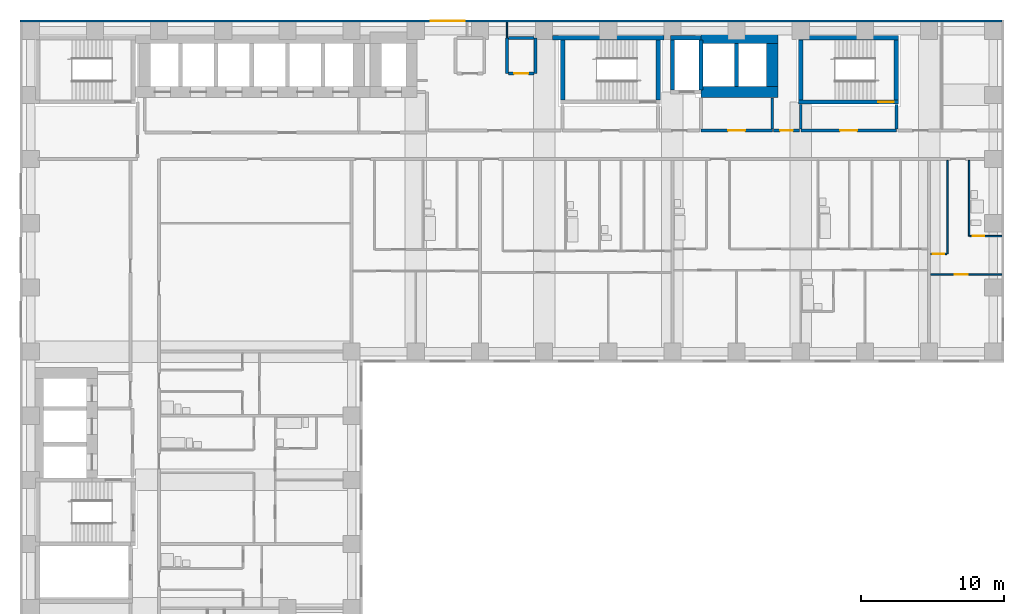
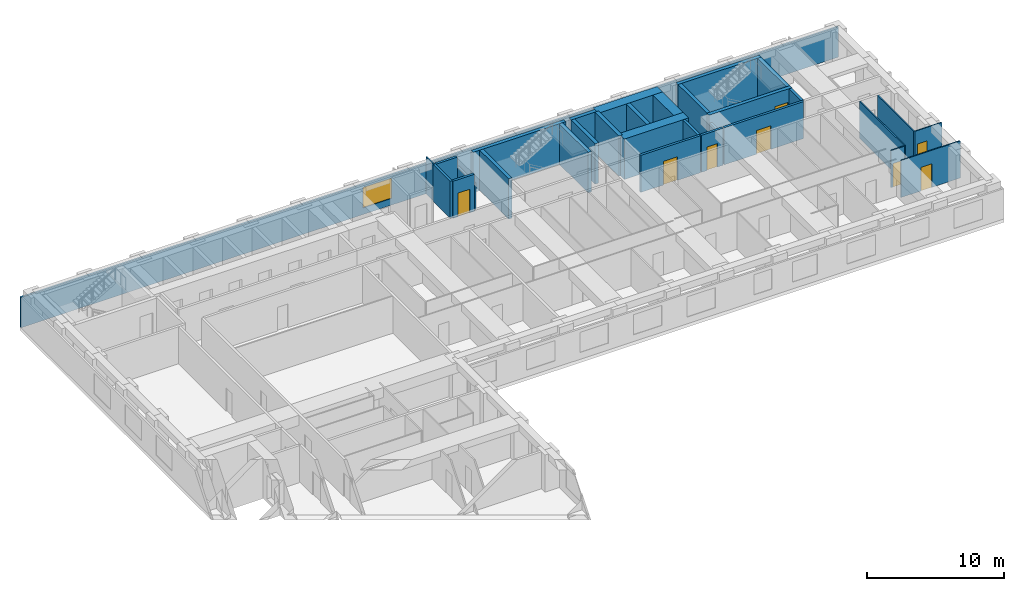
# One storey, part 8 of 11: 31 walls, 8 doors, 1 window, 9 openings.
"""IFC4 building model written with IfcOpenShell, lengths in metres."""

from ifc_helpers import new_model, si_unit, direction, frame, frame_2d, origin, place, context, subcontext, project, spatial, rectangle, extrude, material, layer, layer_set, type_object, element, fill, save


model = new_model("IFC4")

# Units and contexts
model_context = context("Model", 3, precision=1e-05, world=origin(), true_north=direction((0.0, 1.0)))
body_context = subcontext(model_context, "Body", "Model", "MODEL_VIEW")
ifc_project = project(units=[si_unit("LENGTHUNIT", "METRE"), si_unit("AREAUNIT", "SQUARE_METRE"), si_unit("VOLUMEUNIT", "CUBIC_METRE"), si_unit("PLANEANGLEUNIT", "RADIAN"), si_unit("MASSUNIT", "GRAM", prefix="KILO")], contexts=[model_context])

# Site, building, storey
site_placement = place(None, origin())
site = spatial("IfcSite", under=ifc_project, at=site_placement, CompositionType="ELEMENT")
building_placement = place(site_placement, origin())
building = spatial("IfcBuilding", under=site, at=building_placement, Name="Firuza Court", CompositionType="ELEMENT")
storey_placement = place(building_placement, frame((0.0, 0.0, 86.60009765625)))
storey = spatial("IfcBuildingStorey", under=building, at=storey_placement, Name="L21", CompositionType="ELEMENT", Elevation=86.60009765625)

# Walls
ifc_material_1 = material(Name="Moisture-resistant gypsum board partition")
ifc_layer_1 = layer(ifc_material_1, 0.10009765625)
ifc_layer_set_1 = layer_set([ifc_layer_1], Name="Moisture-resistant gypsum board partition")
wall_type_1 = type_object("IfcWallType", Name="Bathroom partition 100", PredefinedType="PLUMBINGWALL", material=ifc_layer_set_1)
wall_1_placement = place(storey_placement, frame((65.800048828125, 44.10009765625, 0.0), z_axis=(0.0, 0.0, 1.0), x_axis=(0.0, 1.0, 0.0)))
element("IfcWall", 1, at=wall_1_placement, inside=storey, type_object=wall_type_1, Name="Bathroom partition 100 L21", PredefinedType="PLUMBINGWALL", context=body_context, shape_type="SweptSolid", body=[
    extrude(rectangle(XDim=5.2998046875, YDim=0.10009765625, at=frame_2d((2.64990234375, 0.0))), origin(), (0.0, 0.0, 1.0), 3.2998046875),
])
ifc_material_2 = material(Name="Concrete C60/75", Category="concrete")
ifc_layer_2 = layer(ifc_material_2, 0.300048828125)
ifc_layer_set_2 = layer_set([ifc_layer_2], Name="Concrete C60/75")
wall_type_2 = type_object("IfcWallType", Name="Core wall 300 C60/75", PredefinedType="SHEAR", material=ifc_layer_set_2)
wall_2_placement = place(storey_placement, frame((36.60009765625, 58.0, -0.300048828125), z_axis=(0.0, 0.0, 1.0), x_axis=(1.0, 0.0, 0.0)))
element("IfcWall", 2, at=wall_2_placement, inside=storey, type_object=wall_type_2, Name="Core wall stair L21", PredefinedType="SHEAR", context=body_context, shape_type="SweptSolid", body=[
    extrude(rectangle(XDim=7.7998046875, YDim=0.300048828125, at=frame_2d((3.89990234375, 0.0))), origin(), (0.0, 0.0, 1.0), 3.599853515625),
])
for number, where, z_axis, x_axis, name in (
    (3, (37.300048828125, 53.64990234375, -0.300048828125), (0.0, 0.0, 1.0), (0.0, 1.0, 0.0), "Core wall stair L21"),
    (4, (44.0, 53.64990234375, -0.300048828125), (0.0, 0.0, 1.0), (0.0, 1.0, 0.0), "Core wall stair L21"),
):
    element("IfcWall", number, at=place(storey_placement, frame(where, z_axis=z_axis, x_axis=x_axis)), inside=storey, type_object=wall_type_2, Name=name, PredefinedType="SHEAR", context=body_context, shape_type="SweptSolid", body=[
        extrude(rectangle(XDim=4.2001953125, YDim=0.300048828125, at=frame_2d((2.10009765625, 0.0))), origin(), (0.0, 0.0, 1.0), 3.599853515625),
    ])
wall_3_placement = place(storey_placement, frame((44.85009765625, 58.0, -0.300048828125), z_axis=(0.0, 0.0, 1.0), x_axis=(1.0, 0.0, 0.0)))
element("IfcWall", 5, at=wall_3_placement, inside=storey, type_object=wall_type_2, Name="Core wall riser L21", PredefinedType="SHEAR", context=body_context, shape_type="SweptSolid", body=[
    extrude(rectangle(XDim=2.14990234375, YDim=0.300048828125, at=frame_2d((1.074951171875, 0.0))), origin(), (0.0, 0.0, 1.0), 3.599853515625),
])
for number, where, z_axis, x_axis, name in (
    (6, (45.0, 54.35009765625, -0.300048828125), (0.0, 0.0, 1.0), (0.0, 1.0, 0.0), "Core wall riser L21"),
    (7, (47.0, 54.35009765625, -0.300048828125), (0.0, 0.0, 1.0), (0.0, 1.0, 0.0), "Core wall lift shaft L21"),
):
    element("IfcWall", number, at=place(storey_placement, frame(where, z_axis=z_axis, x_axis=x_axis)), inside=storey, type_object=wall_type_2, Name=name, PredefinedType="SHEAR", context=body_context, shape_type="SweptSolid", body=[
        extrude(rectangle(XDim=3.5, YDim=0.300048828125, at=frame_2d((1.75, 0.0))), origin(), (0.0, 0.0, 1.0), 3.599853515625),
    ])
wall_4_placement = place(storey_placement, frame((49.5, 54.60009765625, -0.300048828125), z_axis=(0.0, 0.0, 1.0), x_axis=(0.0, 1.0, 0.0)))
element("IfcWall", 8, at=wall_4_placement, inside=storey, type_object=wall_type_2, Name="Core wall lift shaft L21", PredefinedType="SHEAR", context=body_context, shape_type="SweptSolid", body=[
    extrude(rectangle(XDim=3.0, YDim=0.300048828125, at=frame_2d((1.5, 0.0))), origin(), (0.0, 0.0, 1.0), 3.599853515625),
])

# Wall, opening, door
wall_5_placement = place(storey_placement, frame((53.85009765625, 53.5, -0.300048828125), z_axis=(0.0, 0.0, 1.0), x_axis=(1.0, 0.0, 0.0)))
wall_5 = element("IfcWall", 9, at=wall_5_placement, inside=storey, type_object=wall_type_2, Name="Core wall stair L21", PredefinedType="SHEAR", context=body_context, shape_type="SweptSolid", body=[
    extrude(rectangle(XDim=7.0, YDim=0.300048828125, at=frame_2d((3.5, 0.0))), origin(), (0.0, 0.0, 1.0), 3.599853515625),
])
opening_1_placement = place(wall_5_placement, frame((5.580078125, 0.0, 0.300048828125)))
opening_1 = element("IfcOpeningElement", 10, at=opening_1_placement, cuts=wall_5, Name="Opening D21017", PredefinedType="OPENING", context=body_context, shape_type="SweptSolid", body=[
    extrude(rectangle(XDim=1.10009765625, YDim=2.10009765625, at=frame_2d((0.550048828125, 1.050048828125))), frame((0.0, 0.162109375, 0.0), z_axis=(0.0, -1.0, 0.0), x_axis=(1.0, 0.0, 0.0)), (0.0, 0.0, 1.0), 0.323974609375),
])
ifc_material_3 = material(Name="Timber door leaf in hardwood frame", Category="wood")
door_type_1 = type_object("IfcDoorType", Name="Stair door 1100", OperationType="SINGLE_SWING_LEFT", PredefinedType="DOOR", material=ifc_material_3)
door_1_placement = place(opening_1_placement, origin())
door_1 = element("IfcDoor", 11, at=door_1_placement, inside=storey, type_object=door_type_1, Name="Stair door S4", OperationType="SINGLE_SWING_RIGHT", OverallHeight=2.10009765625, OverallWidth=1.10009765625, PredefinedType="DOOR", context=body_context, shape_type="SweptSolid", body=[
    extrude(rectangle(XDim=1.10009765625, YDim=2.10009765625, at=frame_2d((0.550048828125, 1.050048828125))), frame((0.0, 0.02490234375, 0.0), z_axis=(0.0, -1.0, 0.0), x_axis=(1.0, 0.0, 0.0)), (0.0, 0.0, 1.0), 0.050048828125),
])
fill(opening_1, door_1)

# Walls
wall_6_placement = place(storey_placement, frame((53.85009765625, 58.0, -0.300048828125), z_axis=(0.0, 0.0, 1.0), x_axis=(1.0, 0.0, 0.0)))
element("IfcWall", 12, at=wall_6_placement, inside=storey, type_object=wall_type_2, Name="Core wall stair L21", PredefinedType="SHEAR", context=body_context, shape_type="SweptSolid", body=[
    extrude(rectangle(XDim=7.0, YDim=0.300048828125, at=frame_2d((3.5, 0.0))), origin(), (0.0, 0.0, 1.0), 3.599853515625),
])
for number, where, z_axis, x_axis, name in (
    (13, (54.0, 53.64990234375, -0.300048828125), (0.0, 0.0, 1.0), (0.0, 1.0, 0.0), "Core wall stair L21"),
    (14, (60.699951171875, 53.64990234375, -0.300048828125), (0.0, 0.0, 1.0), (0.0, 1.0, 0.0), "Core wall stair L21"),
):
    element("IfcWall", number, at=place(storey_placement, frame(where, z_axis=z_axis, x_axis=x_axis)), inside=storey, type_object=wall_type_2, Name=name, PredefinedType="SHEAR", context=body_context, shape_type="SweptSolid", body=[
        extrude(rectangle(XDim=4.2001953125, YDim=0.300048828125, at=frame_2d((2.10009765625, 0.0))), origin(), (0.0, 0.0, 1.0), 3.599853515625),
    ])
ifc_layer_3 = layer(ifc_material_2, 0.800048828125)
ifc_layer_set_3 = layer_set([ifc_layer_3], Name="Concrete C60/75")
wall_type_3 = type_object("IfcWallType", Name="Core wall 800 C60/75", PredefinedType="SHEAR", material=ifc_layer_set_3)
for number, where, z_axis, x_axis, name in (
    (15, (47.0, 54.199951171875, -0.300048828125), (0.0, 0.0, 1.0), (1.0, 0.0, 0.0), "Core wall lift shaft L21"),
    (16, (47.0, 58.0, -0.300048828125), (0.0, 0.0, 1.0), (1.0, 0.0, 0.0), "Core wall lift shaft L21"),
):
    element("IfcWall", number, at=place(storey_placement, frame(where, z_axis=z_axis, x_axis=x_axis)), inside=storey, type_object=wall_type_3, Name=name, PredefinedType="SHEAR", context=body_context, shape_type="SweptSolid", body=[
        extrude(rectangle(XDim=5.39990234375, YDim=0.800048828125, at=frame_2d((2.699951171875, 0.0))), origin(), (0.0, 0.0, 1.0), 3.599853515625),
    ])
wall_7_placement = place(storey_placement, frame((52.0, 54.60009765625, -0.300048828125), z_axis=(0.0, 0.0, 1.0), x_axis=(0.0, 1.0, 0.0)))
element("IfcWall", 17, at=wall_7_placement, inside=storey, type_object=wall_type_3, Name="Core wall lift shaft L21", PredefinedType="SHEAR", context=body_context, shape_type="SweptSolid", body=[
    extrude(rectangle(XDim=3.0, YDim=0.800048828125, at=frame_2d((1.5, 0.0))), origin(), (0.0, 0.0, 1.0), 3.599853515625),
])

# Wall, opening, door
ifc_material_4 = material(Name="Blockwork, plastered both sides", Category="masonry")
ifc_layer_4 = layer(ifc_material_4, 0.199951171875)
ifc_layer_set_4 = layer_set([ifc_layer_4], Name="Blockwork, plastered both sides")
wall_type_4 = type_object("IfcWallType", Name="Corridor wall 200", PredefinedType="PARTITIONING", material=ifc_layer_set_4)
wall_8_placement = place(storey_placement, frame((52.10009765625, 51.5, 0.0), z_axis=(0.0, 0.0, 1.0), x_axis=(1.0, 0.0, 0.0)))
wall_8 = element("IfcWall", 18, at=wall_8_placement, inside=storey, type_object=wall_type_4, Name="Corridor wall 200 L21", PredefinedType="PARTITIONING", context=body_context, shape_type="SweptSolid", body=[
    extrude(rectangle(XDim=1.7998046875, YDim=0.199951171875, at=frame_2d((0.89990234375, 0.0))), origin(), (0.0, 0.0, 1.0), 3.2998046875),
])
opening_2_placement = place(wall_8_placement, frame((0.449951171875, 0.0, 0.0)))
opening_2 = element("IfcOpeningElement", 19, at=opening_2_placement, cuts=wall_8, Name="Opening D21075", PredefinedType="OPENING", context=body_context, shape_type="SweptSolid", body=[
    extrude(rectangle(XDim=0.89990234375, YDim=2.10009765625, at=frame_2d((0.449951171875, 1.050048828125))), frame((0.0, 0.11181640625, 0.0), z_axis=(0.0, -1.0, 0.0), x_axis=(1.0, 0.0, 0.0)), (0.0, 0.0, 1.0), 0.223876953125),
])
ifc_material_5 = material(Name="Timber door leaf in hardwood frame", Category="wood")
door_type_2 = type_object("IfcDoorType", Name="Room door 900 EI 30", OperationType="SINGLE_SWING_LEFT", PredefinedType="DOOR", material=ifc_material_5)
door_2_placement = place(opening_2_placement, origin())
door_2 = element("IfcDoor", 20, at=door_2_placement, inside=storey, type_object=door_type_2, Name="Staff pantry door", OperationType="SINGLE_SWING_LEFT", OverallHeight=2.10009765625, OverallWidth=0.89990234375, PredefinedType="DOOR", context=body_context, shape_type="SweptSolid", body=[
    extrude(rectangle(XDim=0.89990234375, YDim=2.10009765625, at=frame_2d((0.449951171875, 1.050048828125))), frame((0.0, 0.02490234375, 0.0), z_axis=(0.0, -1.0, 0.0), x_axis=(1.0, 0.0, 0.0)), (0.0, 0.0, 1.0), 0.050048828125),
])
fill(opening_2, door_2)

ifc_material_6 = material(Name="Timber stud partition, plasterboard both sides", Category="wood")
ifc_layer_5 = layer(ifc_material_6, 0.10009765625)
ifc_layer_set_5 = layer_set([ifc_layer_5], Name="Timber stud partition, plasterboard both sides")
wall_type_5 = type_object("IfcWallType", Name="Partition wall 100", PredefinedType="PARTITIONING", material=ifc_layer_set_5)
wall_9_placement = place(storey_placement, frame((63.10009765625, 41.39990234375, 0.0), z_axis=(0.0, 0.0, 1.0), x_axis=(1.0, 0.0, 0.0)))
wall_9 = element("IfcWall", 21, at=wall_9_placement, inside=storey, type_object=wall_type_5, Name="Partition wall 100 L21", PredefinedType="PARTITIONING", context=body_context, shape_type="SweptSolid", body=[
    extrude(rectangle(XDim=5.0, YDim=0.10009765625, at=frame_2d((2.5, 0.0))), origin(), (0.0, 0.0, 1.0), 3.2998046875),
])
opening_3_placement = place(wall_9_placement, frame((1.699951171875, 0.0, 0.0)))
opening_3 = element("IfcOpeningElement", 22, at=opening_3_placement, cuts=wall_9, Name="Opening D21043", PredefinedType="OPENING", context=body_context, shape_type="SweptSolid", body=[
    extrude(rectangle(XDim=0.89990234375, YDim=2.10009765625, at=frame_2d((0.449951171875, 1.050048828125))), frame((0.0, 0.06201171875, 0.0), z_axis=(0.0, -1.0, 0.0), x_axis=(1.0, 0.0, 0.0)), (0.0, 0.0, 1.0), 0.1240234375),
])
ifc_material_7 = material(Name="Timber door leaf in hardwood frame", Category="wood")
door_type_3 = type_object("IfcDoorType", Name="Room door 900", OperationType="SINGLE_SWING_LEFT", PredefinedType="DOOR", material=ifc_material_7)
door_3_placement = place(opening_3_placement, frame((0.89990234375, 0.0, 0.0), z_axis=(0.0, 0.0, 1.0), x_axis=(-1.0, 0.0, 0.0)))
door_3 = element("IfcDoor", 23, at=door_3_placement, inside=storey, type_object=door_type_3, Name="Studio room door", OperationType="SINGLE_SWING_RIGHT", OverallHeight=2.10009765625, OverallWidth=0.89990234375, PredefinedType="DOOR", context=body_context, shape_type="SweptSolid", body=[
    extrude(rectangle(XDim=0.89990234375, YDim=2.10009765625, at=frame_2d((0.449951171875, 1.050048828125))), frame((0.0, 0.02490234375, 0.0), z_axis=(0.0, -1.0, 0.0), x_axis=(1.0, 0.0, 0.0)), (0.0, 0.0, 1.0), 0.050048828125),
])
fill(opening_3, door_3)

wall_10_placement = place(storey_placement, frame((63.10009765625, 42.85009765625, 0.0), z_axis=(0.0, 0.0, 1.0), x_axis=(1.0, 0.0, 0.0)))
wall_10 = element("IfcWall", 24, at=wall_10_placement, inside=storey, type_object=wall_type_5, Name="Partition wall 100 L21", PredefinedType="PARTITIONING", context=body_context, shape_type="SweptSolid", body=[
    extrude(rectangle(XDim=1.14990234375, YDim=0.10009765625, at=frame_2d((0.574951171875, 0.0))), origin(), (0.0, 0.0, 1.0), 3.2998046875),
])
opening_4_placement = place(wall_10_placement, frame((0.14990234375, 0.0, 0.0)))
opening_4 = element("IfcOpeningElement", 25, at=opening_4_placement, cuts=wall_10, Name="Opening D21052", PredefinedType="OPENING", context=body_context, shape_type="SweptSolid", body=[
    extrude(rectangle(XDim=0.800048828125, YDim=2.10009765625, at=frame_2d((0.39990234375, 1.050048828125))), frame((0.0, 0.06201171875, 0.0), z_axis=(0.0, -1.0, 0.0), x_axis=(1.0, 0.0, 0.0)), (0.0, 0.0, 1.0), 0.1240234375),
])
ifc_material_8 = material(Name="Timber door leaf in hardwood frame", Category="wood")
door_type_4 = type_object("IfcDoorType", Name="Room door 800", OperationType="SINGLE_SWING_LEFT", PredefinedType="DOOR", material=ifc_material_8)
door_4_placement = place(opening_4_placement, origin())
door_4 = element("IfcDoor", 26, at=door_4_placement, inside=storey, type_object=door_type_4, Name="Kitchen door", OperationType="SINGLE_SWING_LEFT", OverallHeight=2.10009765625, OverallWidth=0.800048828125, PredefinedType="DOOR", context=body_context, shape_type="SweptSolid", body=[
    extrude(rectangle(XDim=0.800048828125, YDim=2.10009765625, at=frame_2d((0.39990234375, 1.050048828125))), frame((0.0, 0.02490234375, 0.0), z_axis=(0.0, -1.0, 0.0), x_axis=(1.0, 0.0, 0.0)), (0.0, 0.0, 1.0), 0.050048828125),
])
fill(opening_4, door_4)

# Wall
wall_11_placement = place(storey_placement, frame((64.300048828125, 42.85009765625, 0.0), z_axis=(0.0, 0.0, 1.0), x_axis=(0.0, 1.0, 0.0)))
element("IfcWall", 27, at=wall_11_placement, inside=storey, type_object=wall_type_5, Name="Partition wall 100 L21", PredefinedType="PARTITIONING", context=body_context, shape_type="SweptSolid", body=[
    extrude(rectangle(XDim=6.5498046875, YDim=0.10009765625, at=frame_2d((3.27490234375, 0.0))), origin(), (0.0, 0.0, 1.0), 3.2998046875),
])

# Wall, opening, door
wall_12_placement = place(storey_placement, frame((65.85009765625, 44.10009765625, 0.0), z_axis=(0.0, 0.0, 1.0), x_axis=(1.0, 0.0, 0.0)))
wall_12 = element("IfcWall", 28, at=wall_12_placement, inside=storey, type_object=wall_type_5, Name="Partition wall 100 L21", PredefinedType="PARTITIONING", context=body_context, shape_type="SweptSolid", body=[
    extrude(rectangle(XDim=2.25, YDim=0.10009765625, at=frame_2d((1.125, 0.0))), origin(), (0.0, 0.0, 1.0), 3.2998046875),
])
opening_5_placement = place(wall_12_placement, frame((0.199951171875, 0.0, 0.0)))
opening_5 = element("IfcOpeningElement", 29, at=opening_5_placement, cuts=wall_12, Name="Opening D21067", PredefinedType="OPENING", context=body_context, shape_type="SweptSolid", body=[
    extrude(rectangle(XDim=0.800048828125, YDim=2.10009765625, at=frame_2d((0.39990234375, 1.050048828125))), frame((0.0, 0.06201171875, 0.0), z_axis=(0.0, -1.0, 0.0), x_axis=(1.0, 0.0, 0.0)), (0.0, 0.0, 1.0), 0.1240234375),
])
ifc_material_9 = material(Name="Timber door leaf in hardwood frame", Category="wood")
door_type_5 = type_object("IfcDoorType", Name="Bathroom door 800", OperationType="SINGLE_SWING_LEFT", PredefinedType="DOOR", material=ifc_material_9)
door_5_placement = place(opening_5_placement, origin())
door_5 = element("IfcDoor", 30, at=door_5_placement, inside=storey, type_object=door_type_5, Name="Bathroom door", OperationType="SINGLE_SWING_LEFT", OverallHeight=2.10009765625, OverallWidth=0.800048828125, PredefinedType="DOOR", context=body_context, shape_type="SweptSolid", body=[
    extrude(rectangle(XDim=0.800048828125, YDim=2.10009765625, at=frame_2d((0.39990234375, 1.050048828125))), frame((0.0, 0.02490234375, 0.0), z_axis=(0.0, -1.0, 0.0), x_axis=(1.0, 0.0, 0.0)), (0.0, 0.0, 1.0), 0.050048828125),
])
fill(opening_5, door_5)

# Walls
wall_13_placement = place(storey_placement, frame((33.39990234375, 58.0, 0.0), z_axis=(0.0, 0.0, 1.0), x_axis=(0.0, 1.0, 0.0)))
element("IfcWall", 31, at=wall_13_placement, inside=storey, type_object=wall_type_5, Name="Partition wall 100 L21", PredefinedType="PARTITIONING", context=body_context, shape_type="SweptSolid", body=[
    extrude(rectangle(XDim=1.10009765625, YDim=0.10009765625, at=frame_2d((0.550048828125, 0.0))), origin(), (0.0, 0.0, 1.0), 3.2998046875),
])
ifc_material_10 = material(Name="Blockwork, fire-rated", Category="masonry")
ifc_layer_6 = layer(ifc_material_10, 0.199951171875)
ifc_layer_set_6 = layer_set([ifc_layer_6], Name="Blockwork, fire-rated")
wall_type_6 = type_object("IfcWallType", Name="Plant room wall 200", PredefinedType="PARTITIONING", material=ifc_layer_set_6)
wall_14_placement = place(storey_placement, frame((33.39990234375, 55.5, 0.0), z_axis=(0.0, 0.0, 1.0), x_axis=(0.0, 1.0, 0.0)))
element("IfcWall", 32, at=wall_14_placement, inside=storey, type_object=wall_type_6, Name="Plant room wall 200 L21", PredefinedType="PARTITIONING", context=body_context, shape_type="SweptSolid", body=[
    extrude(rectangle(XDim=2.5, YDim=0.199951171875, at=frame_2d((1.25, 0.0))), origin(), (0.0, 0.0, 1.0), 3.2998046875),
])

# Wall, opening, door
wall_15_placement = place(storey_placement, frame((33.5, 55.5, 0.0), z_axis=(0.0, 0.0, 1.0), x_axis=(1.0, 0.0, 0.0)))
wall_15 = element("IfcWall", 33, at=wall_15_placement, inside=storey, type_object=wall_type_6, Name="Plant room wall 200 L21", PredefinedType="PARTITIONING", context=body_context, shape_type="SweptSolid", body=[
    extrude(rectangle(XDim=1.800048828125, YDim=0.199951171875, at=frame_2d((0.89990234375, 0.0))), origin(), (0.0, 0.0, 1.0), 3.2998046875),
])
opening_6_placement = place(wall_15_placement, frame((0.39990234375, 0.0, 0.0)))
opening_6 = element("IfcOpeningElement", 34, at=opening_6_placement, cuts=wall_15, Name="Opening D21079", PredefinedType="OPENING", context=body_context, shape_type="SweptSolid", body=[
    extrude(rectangle(XDim=1.0, YDim=2.10009765625, at=frame_2d((0.5, 1.050048828125))), frame((0.0, 0.11181640625, 0.0), z_axis=(0.0, -1.0, 0.0), x_axis=(1.0, 0.0, 0.0)), (0.0, 0.0, 1.0), 0.223876953125),
])
ifc_material_11 = material(Name="Timber door leaf in hardwood frame", Category="wood")
door_type_6 = type_object("IfcDoorType", Name="Riser door 1000", OperationType="SINGLE_SWING_LEFT", PredefinedType="DOOR", material=ifc_material_11)
door_6_placement = place(opening_6_placement, origin())
door_6 = element("IfcDoor", 35, at=door_6_placement, inside=storey, type_object=door_type_6, Name="Duct riser door", OperationType="SINGLE_SWING_LEFT", OverallHeight=2.10009765625, OverallWidth=1.0, PredefinedType="DOOR", context=body_context, shape_type="SweptSolid", body=[
    extrude(rectangle(XDim=1.0, YDim=2.10009765625, at=frame_2d((0.5, 1.050048828125))), frame((0.0, 0.02490234375, 0.0), z_axis=(0.0, -1.0, 0.0), x_axis=(1.0, 0.0, 0.0)), (0.0, 0.0, 1.0), 0.050048828125),
])
fill(opening_6, door_6)

# Walls
wall_16_placement = place(storey_placement, frame((35.39990234375, 55.5, 0.0), z_axis=(0.0, 0.0, 1.0), x_axis=(0.0, 1.0, 0.0)))
element("IfcWall", 36, at=wall_16_placement, inside=storey, type_object=wall_type_6, Name="Plant room wall 200 L21", PredefinedType="PARTITIONING", context=body_context, shape_type="SweptSolid", body=[
    extrude(rectangle(XDim=2.5, YDim=0.199951171875, at=frame_2d((1.25, 0.0))), origin(), (0.0, 0.0, 1.0), 2.39990234375),
])
wall_17_placement = place(storey_placement, frame((33.5, 58.0, 0.0), z_axis=(0.0, 0.0, 1.0), x_axis=(1.0, 0.0, 0.0)))
element("IfcWall", 37, at=wall_17_placement, inside=storey, type_object=wall_type_6, Name="Plant room wall 200 L21", PredefinedType="PARTITIONING", context=body_context, shape_type="SweptSolid", body=[
    extrude(rectangle(XDim=1.800048828125, YDim=0.199951171875, at=frame_2d((0.89990234375, 0.0))), origin(), (0.0, 0.0, 1.0), 3.2998046875),
])

# Wall, opening, window
ifc_material_12 = material(Name="Ceramic tile", Category="ceramic")
ifc_layer_7 = layer(ifc_material_12, 0.02001953125)
ifc_material_13 = material(Name="Mineral wool insulation", Category="insulation")
ifc_layer_8 = layer(ifc_material_13, 0.050048828125)
ifc_material_14 = material(Name="Concrete C40/50 precast", Category="concrete")
ifc_layer_9 = layer(ifc_material_14, 0.080078125)
ifc_layer_set_7 = layer_set([ifc_layer_7, ifc_layer_8, ifc_layer_9], Name="Concrete C40/50 precast")
wall_type_7 = type_object("IfcWallType", Name="Precast cladding wall with turquoise TILE PANEL face 150", PredefinedType="STANDARD", material=ifc_layer_set_7)
wall_18_placement = place(storey_placement, frame((68.10009765625, 59.175048828125, 0.0), z_axis=(0.0, 0.0, 1.0), x_axis=(-1.0, 0.0, 0.0)))
wall_18 = element("IfcWall", 38, at=wall_18_placement, inside=storey, type_object=wall_type_7, Name="Facade wall L21 N", PredefinedType="STANDARD", context=body_context, shape_type="SweptSolid", body=[
    extrude(rectangle(XDim=68.85009765625, YDim=0.14990234375, at=frame_2d((34.425048828125, 0.0))), origin(), (0.0, 0.0, 1.0), 2.699951171875),
])
opening_7_placement = place(wall_18_placement, frame((37.64990234375, 0.0, 0.60009765625)))
opening_7 = element("IfcOpeningElement", 39, at=opening_7_placement, cuts=wall_18, Name="Opening W1", PredefinedType="OPENING", context=body_context, shape_type="SweptSolid", body=[
    extrude(rectangle(XDim=2.39990234375, YDim=1.800048828125, at=frame_2d((1.199951171875, 0.89990234375))), frame((0.0, 0.0869140625, 0.0), z_axis=(0.0, -1.0, 0.0), x_axis=(1.0, 0.0, 0.0)), (0.0, 0.0, 1.0), 0.173828125),
])
ifc_material_15 = material(Name="Aluminium frame, triple clear glazing", Category="aluminium")
window_type = type_object("IfcWindowType", Name="Window W1 2400 x 1800", PartitioningType="SINGLE_PANEL", PredefinedType="WINDOW", material=ifc_material_15)
window_placement = place(opening_7_placement, origin())
window = element("IfcWindow", 40, at=window_placement, inside=storey, type_object=window_type, Name="Window L21", OverallHeight=1.800048828125, OverallWidth=2.39990234375, PartitioningType="SINGLE_PANEL", PredefinedType="WINDOW", context=body_context, shape_type="SweptSolid", body=[
    extrude(rectangle(XDim=2.39990234375, YDim=1.800048828125, at=frame_2d((1.199951171875, 0.89990234375))), frame((0.0, 0.030029296875, 0.0), z_axis=(0.0, -1.0, 0.0), x_axis=(1.0, 0.0, 0.0)), (0.0, 0.0, 1.0), 0.06005859375),
])
fill(opening_7, window)

# Wall, opening, door
ifc_layer_10 = layer(ifc_material_10, 0.199951171875)
ifc_layer_set_8 = layer_set([ifc_layer_10], Name="Blockwork, fire-rated")
wall_type_8 = type_object("IfcWallType", Name="Shaft wall 200", PredefinedType="PARTITIONING", material=ifc_layer_set_8)
wall_19_placement = place(storey_placement, frame((47.0, 51.5, 0.0), z_axis=(0.0, 0.0, 1.0), x_axis=(1.0, 0.0, 0.0)))
wall_19 = element("IfcWall", 41, at=wall_19_placement, inside=storey, type_object=wall_type_8, Name="Shaft wall 200 L21", PredefinedType="PARTITIONING", context=body_context, shape_type="SweptSolid", body=[
    extrude(rectangle(XDim=5.0, YDim=0.199951171875, at=frame_2d((2.5, 0.0))), origin(), (0.0, 0.0, 1.0), 3.2998046875),
])
opening_8_placement = place(wall_19_placement, frame((1.89990234375, 0.0, 0.0)))
opening_8 = element("IfcOpeningElement", 42, at=opening_8_placement, cuts=wall_19, Name="Opening D21009", PredefinedType="OPENING", context=body_context, shape_type="SweptSolid", body=[
    extrude(rectangle(XDim=1.199951171875, YDim=2.10009765625, at=frame_2d((0.60009765625, 1.050048828125))), frame((0.0, 0.11181640625, 0.0), z_axis=(0.0, -1.0, 0.0), x_axis=(1.0, 0.0, 0.0)), (0.0, 0.0, 1.0), 0.223876953125),
])
ifc_material_16 = material(Name="Timber door leaf in hardwood frame", Category="wood")
door_type_7 = type_object("IfcDoorType", Name="Lobby door 1200", OperationType="SINGLE_SWING_LEFT", PredefinedType="DOOR", material=ifc_material_16)
door_7_placement = place(opening_8_placement, origin())
door_7 = element("IfcDoor", 43, at=door_7_placement, inside=storey, type_object=door_type_7, Name="Lobby door", OperationType="SINGLE_SWING_LEFT", OverallHeight=2.10009765625, OverallWidth=1.199951171875, PredefinedType="DOOR", context=body_context, shape_type="SweptSolid", body=[
    extrude(rectangle(XDim=1.199951171875, YDim=2.10009765625, at=frame_2d((0.60009765625, 1.050048828125))), frame((0.0, 0.02490234375, 0.0), z_axis=(0.0, -1.0, 0.0), x_axis=(1.0, 0.0, 0.0)), (0.0, 0.0, 1.0), 0.050048828125),
])
fill(opening_8, door_7)

# Wall
wall_20_placement = place(storey_placement, frame((52.0, 51.60009765625, 0.0), z_axis=(0.0, 0.0, 1.0), x_axis=(0.0, 1.0, 0.0)))
element("IfcWall", 44, at=wall_20_placement, inside=storey, type_object=wall_type_8, Name="Shaft wall 200 L21", PredefinedType="PARTITIONING", context=body_context, shape_type="SweptSolid", body=[
    extrude(rectangle(XDim=2.179931640625, YDim=0.199951171875, at=frame_2d((1.08984375, 0.0))), origin(), (0.0, 0.0, 1.0), 3.2998046875),
])

# Wall, opening, door
wall_21_placement = place(storey_placement, frame((54.0, 51.5, 0.0), z_axis=(0.0, 0.0, 1.0), x_axis=(1.0, 0.0, 0.0)))
wall_21 = element("IfcWall", 45, at=wall_21_placement, inside=storey, type_object=wall_type_8, Name="Shaft wall 200 L21", PredefinedType="PARTITIONING", context=body_context, shape_type="SweptSolid", body=[
    extrude(rectangle(XDim=6.699951171875, YDim=0.199951171875, at=frame_2d((3.35009765625, 0.0))), origin(), (0.0, 0.0, 1.0), 3.2998046875),
])
opening_9_placement = place(wall_21_placement, frame((2.75, 0.0, 0.0)))
opening_9 = element("IfcOpeningElement", 46, at=opening_9_placement, cuts=wall_21, Name="Opening D21007", PredefinedType="OPENING", context=body_context, shape_type="SweptSolid", body=[
    extrude(rectangle(XDim=1.199951171875, YDim=2.10009765625, at=frame_2d((0.60009765625, 1.050048828125))), frame((0.0, 0.11181640625, 0.0), z_axis=(0.0, -1.0, 0.0), x_axis=(1.0, 0.0, 0.0)), (0.0, 0.0, 1.0), 0.223876953125),
])
door_8_placement = place(opening_9_placement, origin())
door_8 = element("IfcDoor", 47, at=door_8_placement, inside=storey, type_object=door_type_7, Name="Lobby door", OperationType="SINGLE_SWING_LEFT", OverallHeight=2.10009765625, OverallWidth=1.199951171875, PredefinedType="DOOR", context=body_context, shape_type="SweptSolid", body=[
    extrude(rectangle(XDim=1.199951171875, YDim=2.10009765625, at=frame_2d((0.60009765625, 1.050048828125))), frame((0.0, 0.02490234375, 0.0), z_axis=(0.0, -1.0, 0.0), x_axis=(1.0, 0.0, 0.0)), (0.0, 0.0, 1.0), 0.050048828125),
])
fill(opening_9, door_8)

# Walls
wall_22_placement = place(storey_placement, frame((60.699951171875, 51.60009765625, 0.0), z_axis=(0.0, 0.0, 1.0), x_axis=(0.0, 1.0, 0.0)))
element("IfcWall", 48, at=wall_22_placement, inside=storey, type_object=wall_type_8, Name="Shaft wall 200 L21", PredefinedType="PARTITIONING", context=body_context, shape_type="SweptSolid", body=[
    extrude(rectangle(XDim=1.72998046875, YDim=0.199951171875, at=frame_2d((0.864990234375, 0.0))), origin(), (0.0, 0.0, 1.0), 3.2998046875),
])
wall_23_placement = place(storey_placement, frame((54.0, 51.60009765625, 0.0), z_axis=(0.0, 0.0, 1.0), x_axis=(0.0, 1.0, 0.0)))
element("IfcWall", 49, at=wall_23_placement, inside=storey, type_object=wall_type_8, Name="Shaft wall 200 L21", PredefinedType="PARTITIONING", context=body_context, shape_type="SweptSolid", body=[
    extrude(rectangle(XDim=1.72998046875, YDim=0.199951171875, at=frame_2d((0.864990234375, 0.0))), origin(), (0.0, 0.0, 1.0), 2.599853515625),
])

save(model, "model.ifc")
